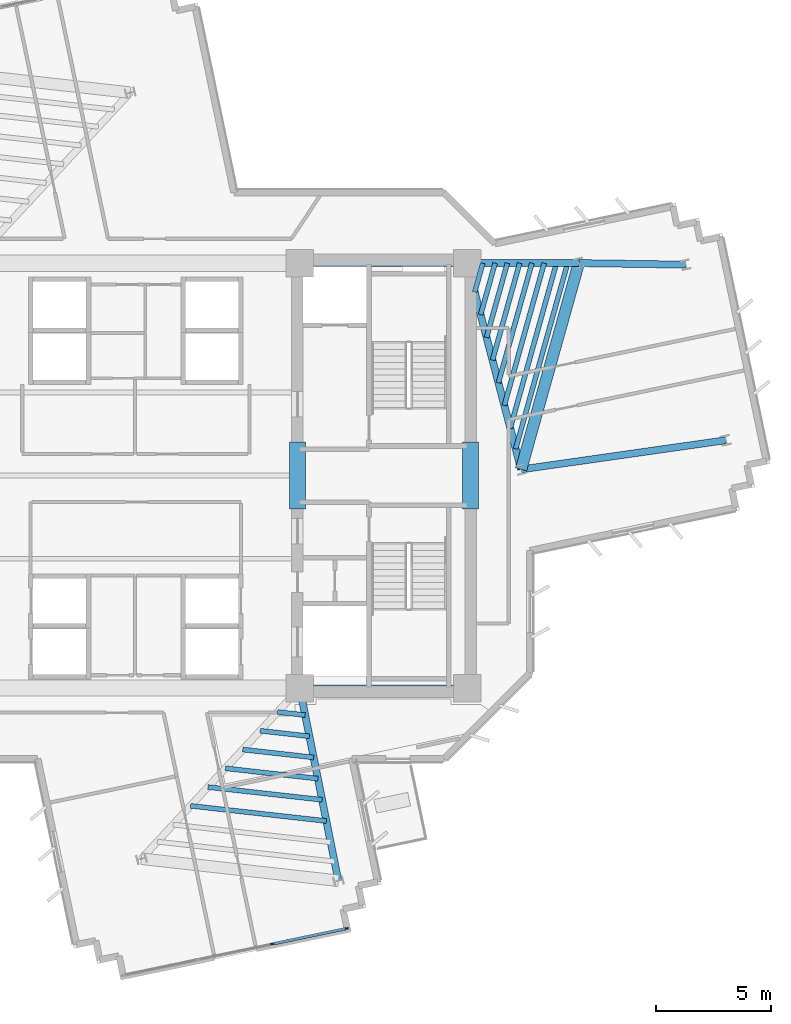
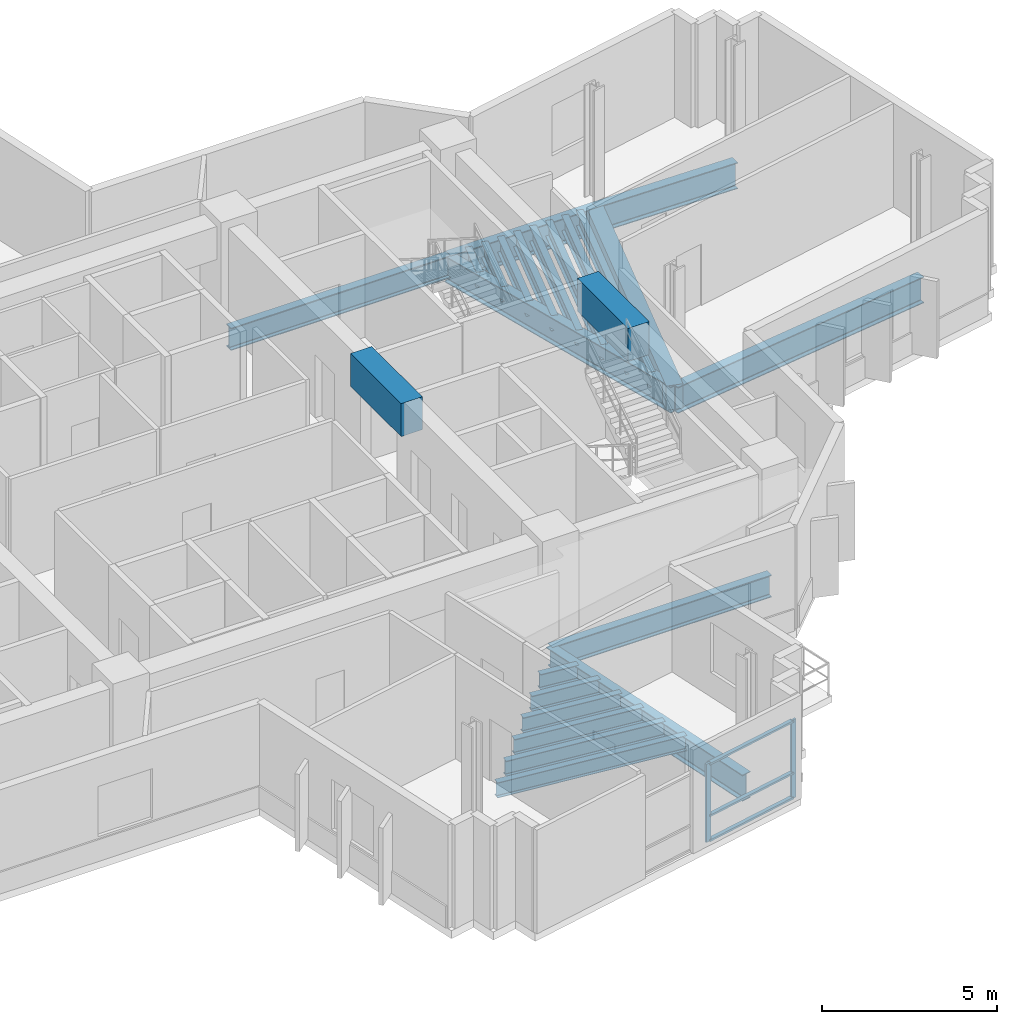
# One storey, part 4 of 14: 24 beams, 5 members, 1 element without a shape of its own.
"""IFC4 building model written with IfcOpenShell, lengths in metres."""

from ifc_helpers import new_model, si_unit, direction, frame, origin, origin_2d, place, context, subcontext, project, spatial, rectangle, i_section, extrude, source, transform, mapped, material, layer, layer_set, material_profile, profile_set, type_object, element, aggregate, save


model = new_model("IFC4")

# Units and contexts
model_context = context("Model", 3, precision=1e-05, world=origin(), true_north=direction((0.0, 1.0)))
body_context = subcontext(model_context, "Body", "Model", "MODEL_VIEW")
ifc_project = project(units=[si_unit("LENGTHUNIT", "METRE"), si_unit("AREAUNIT", "SQUARE_METRE"), si_unit("VOLUMEUNIT", "CUBIC_METRE"), si_unit("PLANEANGLEUNIT", "RADIAN"), si_unit("MASSUNIT", "GRAM", prefix="KILO")], contexts=[model_context])

# Site, building, storey
site_placement = place(None, origin())
site = spatial("IfcSite", under=ifc_project, at=site_placement, CompositionType="ELEMENT")
building_placement = place(site_placement, origin())
building = spatial("IfcBuilding", under=site, at=building_placement, Name="Zahravan Cultural Tower", CompositionType="ELEMENT")
storey_placement = place(building_placement, frame((0.0, 0.0, 159.0)))
storey = spatial("IfcBuildingStorey", under=building, at=storey_placement, Name="L36", CompositionType="ELEMENT", Elevation=159.0)

# Beams
ifc_material_1 = material(Name="Concrete C50/60", Category="concrete")
ifc_material_profile_1 = material_profile(ifc_material_1, rectangle(XDim=0.699951171875, YDim=1.14990234375, at=origin_2d()), Name="RC700X1150")
ifc_profile_set_1 = profile_set([ifc_material_profile_1], Name="Concrete C50/60")
beam_type_1 = type_object("IfcBeamType", Name="BM-LN-RC700X1150", PredefinedType="LINTEL", material=ifc_profile_set_1)
shared_shape_1 = source(origin(), body_context, "Body", "SweptSolid", [
    extrude(rectangle(XDim=0.699951171875, YDim=1.14990234375, at=origin_2d()), origin(), (0.0, 0.0, 1.0), 2.89990234375),
])
for number, where, z_axis, x_axis, name in (
    (1, (43.0, 25.550048828125, 3.044921875), (0.0, 1.0, 0.0), (-1.0, 0.0, 0.0), "L36 Beam LN-L36-PEW"),
    (2, (50.5, 25.550048828125, 3.044921875), (0.0, 1.0, 0.0), (-1.0, 0.0, 0.0), "L36 Beam LN-L36-PEE"),
):
    element("IfcBeam", number, at=place(storey_placement, frame(where, z_axis=z_axis, x_axis=x_axis)), inside=storey, type_object=beam_type_1, Name=name, PredefinedType="LINTEL", context=body_context, shape_type="MappedRepresentation", body=[
        mapped(shared_shape_1, transform((0.0, 0.0, 0.0), x_axis=(1.0, 0.0, 0.0), y_axis=(0.0, 1.0, 0.0), z_axis=(0.0, 0.0, 1.0), scale=1.0)),
    ])
ifc_material_2 = material(Name="Steel ASTM A992 Grade 50", Category="steel")
ifc_material_profile_2 = material_profile(ifc_material_2, i_section(OverallWidth=0.26611328125, OverallDepth=0.780029296875, WebThickness=0.0166015625, FlangeThickness=0.030029296875, FilletRadius=0.01904296875, at=origin_2d()), Name="W30X148")
ifc_profile_set_2 = profile_set([ifc_material_profile_2], Name="Steel ASTM A992 Grade 50")
beam_type_2 = type_object("IfcBeamType", Name="BM-G-W30X148", PredefinedType="BEAM", material=ifc_profile_set_2)
shared_shape_2 = source(origin(), body_context, "Body", "SweptSolid", [
    extrude(i_section(OverallWidth=0.26611328125, OverallDepth=0.780029296875, WebThickness=0.0166015625, FlangeThickness=0.030029296875, FilletRadius=0.01904296875, at=origin_2d()), origin(), (0.0, 0.0, 1.0), 7.25),
])
for number, where, z_axis, x_axis, name in (
    (3, (43.10009765625, 17.800048828125, -0.669921875), (1.0, 0.0, 0.0), (0.0, 1.0, 0.0), "L36 Beam BG-L36-04"),
    (4, (43.10009765625, 36.199951171875, -0.669921875), (1.0, 0.0, 0.0), (0.0, 1.0, 0.0), "L36 Beam BG-L36-05"),
):
    element("IfcBeam", number, at=place(storey_placement, frame(where, z_axis=z_axis, x_axis=x_axis)), inside=storey, type_object=beam_type_2, Name=name, PredefinedType="BEAM", context=body_context, shape_type="MappedRepresentation", body=[
        mapped(shared_shape_2, transform((0.0, 0.0, 0.0), x_axis=(1.0, 0.0, 0.0), y_axis=(0.0, 1.0, 0.0), z_axis=(0.0, 0.0, 1.0), scale=1.0)),
    ])
ifc_material_profile_3 = material_profile(ifc_material_2, i_section(OverallWidth=0.304931640625, OverallDepth=0.9189453125, WebThickness=0.017333984375, FlangeThickness=0.02783203125, FilletRadius=0.02392578125, at=origin_2d()), Name="W36X170")
ifc_profile_set_3 = profile_set([ifc_material_profile_3], Name="Steel ASTM A992 Grade 50")
beam_type_3 = type_object("IfcBeamType", Name="BM-G-W36X170", PredefinedType="BEAM", material=ifc_profile_set_3)
shared_shape_3 = source(origin(), body_context, "Body", "SweptSolid", [
    extrude(i_section(OverallWidth=0.304931640625, OverallDepth=0.9189453125, WebThickness=0.017333984375, FlangeThickness=0.02783203125, FilletRadius=0.02392578125, at=origin_2d()), origin(), (0.0, 0.0, 1.0), 9.22900390625),
])
beam_1_placement = place(storey_placement, frame((50.35009765625, 36.199951171875, -0.739501953125), z_axis=(0.252922608408, -0.967486513682, 0.0), x_axis=(0.967486513682, 0.252922608408, 0.0)))
element("IfcBeam", 5, at=beam_1_placement, inside=storey, type_object=beam_type_3, Name="L36 Beam BG-L36-11", PredefinedType="BEAM", context=body_context, shape_type="MappedRepresentation", body=[
    mapped(shared_shape_3, transform((0.0, 0.0, 0.0), x_axis=(1.0, 0.0, 0.0), y_axis=(0.0, 1.0, 0.0), z_axis=(0.0, 0.0, 1.0), scale=1.0)),
])
shared_shape_4 = source(origin(), body_context, "Body", "SweptSolid", [
    extrude(i_section(OverallWidth=0.304931640625, OverallDepth=0.9189453125, WebThickness=0.017333984375, FlangeThickness=0.02783203125, FilletRadius=0.02392578125, at=origin_2d()), origin(), (0.0, 0.0, 1.0), 4.834716796875),
])
beam_2_placement = place(storey_placement, frame((50.35009765625, 36.199951171875, -0.739501953125), z_axis=(0.99999920313, 0.001262433979, 0.0), x_axis=(-0.001262433979, 0.99999920313, 0.0)))
element("IfcBeam", 6, at=beam_2_placement, inside=storey, type_object=beam_type_3, Name="L36 Beam BG-L36-12", PredefinedType="BEAM", context=body_context, shape_type="MappedRepresentation", body=[
    mapped(shared_shape_4, transform((0.0, 0.0, 0.0), x_axis=(1.0, 0.0, 0.0), y_axis=(0.0, 1.0, 0.0), z_axis=(0.0, 0.0, 1.0), scale=1.0)),
])
shared_shape_5 = source(origin(), body_context, "Body", "SweptSolid", [
    extrude(i_section(OverallWidth=0.304931640625, OverallDepth=0.9189453125, WebThickness=0.017333984375, FlangeThickness=0.02783203125, FilletRadius=0.02392578125, at=origin_2d()), origin(), (0.0, 0.0, 1.0), 8.50732421875),
])
beam_3_placement = place(storey_placement, frame((43.10009765625, 17.800048828125, -0.739501953125), z_axis=(0.196524514012, -0.980498911469, 0.0), x_axis=(0.980498911469, 0.196524514012, 0.0)))
element("IfcBeam", 7, at=beam_3_placement, inside=storey, type_object=beam_type_3, Name="L36 Beam BG-L36-10", PredefinedType="BEAM", context=body_context, shape_type="MappedRepresentation", body=[
    mapped(shared_shape_5, transform((0.0, 0.0, 0.0), x_axis=(1.0, 0.0, 0.0), y_axis=(0.0, 1.0, 0.0), z_axis=(0.0, 0.0, 1.0), scale=1.0)),
])
shared_shape_6 = source(origin(), body_context, "Body", "SweptSolid", [
    extrude(i_section(OverallWidth=0.304931640625, OverallDepth=0.9189453125, WebThickness=0.017333984375, FlangeThickness=0.02783203125, FilletRadius=0.02392578125, at=origin_2d()), origin(), (0.0, 0.0, 1.0), 8.9580078125),
])
beam_4_placement = place(storey_placement, frame((52.684326171875, 27.27099609375, -0.739501953125), z_axis=(0.990000122431, 0.141066500584, 0.0), x_axis=(-0.141066500584, 0.990000122431, 0.0)))
element("IfcBeam", 8, at=beam_4_placement, inside=storey, type_object=beam_type_3, Name="L36 Beam BG-L36-15", PredefinedType="BEAM", context=body_context, shape_type="MappedRepresentation", body=[
    mapped(shared_shape_6, transform((0.0, 0.0, 0.0), x_axis=(1.0, 0.0, 0.0), y_axis=(0.0, 1.0, 0.0), z_axis=(0.0, 0.0, 1.0), scale=1.0)),
])
shared_shape_7 = source(origin(), body_context, "Body", "SweptSolid", [
    extrude(i_section(OverallWidth=0.304931640625, OverallDepth=0.9189453125, WebThickness=0.017333984375, FlangeThickness=0.02783203125, FilletRadius=0.02392578125, at=origin_2d()), origin(), (0.0, 0.0, 1.0), 4.622314453125),
])
beam_5_placement = place(storey_placement, frame((55.184814453125, 36.2060546875, -0.739501953125), z_axis=(0.999889070044, -0.014894549562, 0.0), x_axis=(0.014894549562, 0.999889070044, 0.0)))
element("IfcBeam", 9, at=beam_5_placement, inside=storey, type_object=beam_type_3, Name="L36 Beam BG-L36-16", PredefinedType="BEAM", context=body_context, shape_type="MappedRepresentation", body=[
    mapped(shared_shape_7, transform((0.0, 0.0, 0.0), x_axis=(1.0, 0.0, 0.0), y_axis=(0.0, 1.0, 0.0), z_axis=(0.0, 0.0, 1.0), scale=1.0)),
])
ifc_material_profile_4 = material_profile(ifc_material_1, rectangle(XDim=0.5, YDim=0.85009765625, at=origin_2d()), Name="RC500X850")
ifc_profile_set_4 = profile_set([ifc_material_profile_4], Name="Concrete C50/60")
beam_type_4 = type_object("IfcBeamType", Name="BM-SP-RC500X850", PredefinedType="SPANDREL", material=ifc_profile_set_4)
shared_shape_8 = source(origin(), body_context, "Body", "SweptSolid", [
    extrude(rectangle(XDim=0.5, YDim=0.85009765625, at=origin_2d()), origin(), (0.0, 0.0, 1.0), 9.2783203125),
])
beam_6_placement = place(storey_placement, frame((52.684326171875, 27.27099609375, -0.705078125), z_axis=(0.269497187032, 0.963001176625, 0.0), x_axis=(-0.963001176625, 0.269497187032, 0.0)))
element("IfcBeam", 10, at=beam_6_placement, inside=storey, type_object=beam_type_4, Name="L36 Beam SP-L36-21", PredefinedType="SPANDREL", context=body_context, shape_type="MappedRepresentation", body=[
    mapped(shared_shape_8, transform((0.0, 0.0, 0.0), x_axis=(1.0, 0.0, 0.0), y_axis=(0.0, 1.0, 0.0), z_axis=(0.0, 0.0, 1.0), scale=1.0)),
])
ifc_material_profile_5 = material_profile(ifc_material_2, i_section(OverallWidth=0.2099609375, OverallDepth=0.532958984375, WebThickness=0.01025390625, FlangeThickness=0.015625, FilletRadius=0.013916015625, at=origin_2d()), Name="W21X62")
ifc_profile_set_5 = profile_set([ifc_material_profile_5], Name="Steel ASTM A992 Grade 50")
beam_type_5 = type_object("IfcBeamType", Name="BM-J-W21X62", PredefinedType="JOIST", material=ifc_profile_set_5)
shared_shape_9 = source(origin(), body_context, "Body", "SweptSolid", [
    extrude(i_section(OverallWidth=0.2099609375, OverallDepth=0.532958984375, WebThickness=0.01025390625, FlangeThickness=0.015625, FilletRadius=0.013916015625, at=origin_2d()), origin(), (0.0, 0.0, 1.0), 1.299072265625),
])
beam_7_placement = place(storey_placement, frame((50.6767578125, 34.949951171875, -0.54638671875), z_axis=(0.269504444708, 0.962999145525, 0.0), x_axis=(-0.962999145525, 0.269504444708, 0.0)))
element("IfcBeam", 11, at=beam_7_placement, inside=storey, type_object=beam_type_5, Name="L36 Beam BJ-L36-42", PredefinedType="JOIST", context=body_context, shape_type="MappedRepresentation", body=[
    mapped(shared_shape_9, transform((0.0, 0.0, 0.0), x_axis=(1.0, 0.0, 0.0), y_axis=(0.0, 1.0, 0.0), z_axis=(0.0, 0.0, 1.0), scale=1.0)),
])
shared_shape_10 = source(origin(), body_context, "Body", "SweptSolid", [
    extrude(i_section(OverallWidth=0.2099609375, OverallDepth=0.532958984375, WebThickness=0.01025390625, FlangeThickness=0.015625, FilletRadius=0.013916015625, at=origin_2d()), origin(), (0.0, 0.0, 1.0), 2.3193359375),
])
beam_8_placement = place(storey_placement, frame((50.93359375, 33.9677734375, -0.54638671875), z_axis=(0.269462038626, 0.963011012263, 0.0), x_axis=(-0.963011012263, 0.269462038626, 0.0)))
element("IfcBeam", 12, at=beam_8_placement, inside=storey, type_object=beam_type_5, Name="L36 Beam BJ-L36-43", PredefinedType="JOIST", context=body_context, shape_type="MappedRepresentation", body=[
    mapped(shared_shape_10, transform((0.0, 0.0, 0.0), x_axis=(1.0, 0.0, 0.0), y_axis=(0.0, 1.0, 0.0), z_axis=(0.0, 0.0, 1.0), scale=1.0)),
])
shared_shape_11 = source(origin(), body_context, "Body", "SweptSolid", [
    extrude(i_section(OverallWidth=0.2099609375, OverallDepth=0.532958984375, WebThickness=0.01025390625, FlangeThickness=0.015625, FilletRadius=0.013916015625, at=origin_2d()), origin(), (0.0, 0.0, 1.0), 3.340087890625),
])
beam_9_placement = place(storey_placement, frame((51.190185546875, 32.985595703125, -0.54638671875), z_axis=(0.269562146951, 0.962982995141, 0.0), x_axis=(-0.962982995141, 0.269562146951, 0.0)))
element("IfcBeam", 13, at=beam_9_placement, inside=storey, type_object=beam_type_5, Name="L36 Beam BJ-L36-44", PredefinedType="JOIST", context=body_context, shape_type="MappedRepresentation", body=[
    mapped(shared_shape_11, transform((0.0, 0.0, 0.0), x_axis=(1.0, 0.0, 0.0), y_axis=(0.0, 1.0, 0.0), z_axis=(0.0, 0.0, 1.0), scale=1.0)),
])
shared_shape_12 = source(origin(), body_context, "Body", "SweptSolid", [
    extrude(i_section(OverallWidth=0.2099609375, OverallDepth=0.532958984375, WebThickness=0.01025390625, FlangeThickness=0.015625, FilletRadius=0.013916015625, at=origin_2d()), origin(), (0.0, 0.0, 1.0), 4.36083984375),
])
beam_10_placement = place(storey_placement, frame((51.447021484375, 32.00341796875, -0.54638671875), z_axis=(0.269511557673, 0.962997154866, 0.0), x_axis=(-0.962997154866, 0.269511557673, 0.0)))
element("IfcBeam", 14, at=beam_10_placement, inside=storey, type_object=beam_type_5, Name="L36 Beam BJ-L36-45", PredefinedType="JOIST", context=body_context, shape_type="MappedRepresentation", body=[
    mapped(shared_shape_12, transform((0.0, 0.0, 0.0), x_axis=(1.0, 0.0, 0.0), y_axis=(0.0, 1.0, 0.0), z_axis=(0.0, 0.0, 1.0), scale=1.0)),
])
shared_shape_13 = source(origin(), body_context, "Body", "SweptSolid", [
    extrude(i_section(OverallWidth=0.2099609375, OverallDepth=0.532958984375, WebThickness=0.01025390625, FlangeThickness=0.015625, FilletRadius=0.013916015625, at=origin_2d()), origin(), (0.0, 0.0, 1.0), 5.3818359375),
])
beam_11_placement = place(storey_placement, frame((51.703857421875, 31.02099609375, -0.54638671875), z_axis=(0.269510454638, 0.962997463569, 0.0), x_axis=(-0.962997463569, 0.269510454638, 0.0)))
element("IfcBeam", 15, at=beam_11_placement, inside=storey, type_object=beam_type_5, Name="L36 Beam BJ-L36-46", PredefinedType="JOIST", context=body_context, shape_type="MappedRepresentation", body=[
    mapped(shared_shape_13, transform((0.0, 0.0, 0.0), x_axis=(1.0, 0.0, 0.0), y_axis=(0.0, 1.0, 0.0), z_axis=(0.0, 0.0, 1.0), scale=1.0)),
])
shared_shape_14 = source(origin(), body_context, "Body", "SweptSolid", [
    extrude(i_section(OverallWidth=0.2099609375, OverallDepth=0.532958984375, WebThickness=0.01025390625, FlangeThickness=0.015625, FilletRadius=0.013916015625, at=origin_2d()), origin(), (0.0, 0.0, 1.0), 6.402099609375),
])
beam_12_placement = place(storey_placement, frame((51.960693359375, 30.038818359375, -0.54638671875), z_axis=(0.269494133533, 0.963002031146, 0.0), x_axis=(-0.963002031146, 0.269494133533, 0.0)))
element("IfcBeam", 16, at=beam_12_placement, inside=storey, type_object=beam_type_5, Name="L36 Beam BJ-L36-47", PredefinedType="JOIST", context=body_context, shape_type="MappedRepresentation", body=[
    mapped(shared_shape_14, transform((0.0, 0.0, 0.0), x_axis=(1.0, 0.0, 0.0), y_axis=(0.0, 1.0, 0.0), z_axis=(0.0, 0.0, 1.0), scale=1.0)),
])
shared_shape_15 = source(origin(), body_context, "Body", "SweptSolid", [
    extrude(i_section(OverallWidth=0.2099609375, OverallDepth=0.532958984375, WebThickness=0.01025390625, FlangeThickness=0.015625, FilletRadius=0.013916015625, at=origin_2d()), origin(), (0.0, 0.0, 1.0), 7.4228515625),
])
beam_13_placement = place(storey_placement, frame((52.21728515625, 29.056640625, -0.54638671875), z_axis=(0.269504266128, 0.962999195503, 0.0), x_axis=(-0.962999195503, 0.269504266128, 0.0)))
element("IfcBeam", 17, at=beam_13_placement, inside=storey, type_object=beam_type_5, Name="L36 Beam BJ-L36-48", PredefinedType="JOIST", context=body_context, shape_type="MappedRepresentation", body=[
    mapped(shared_shape_15, transform((0.0, 0.0, 0.0), x_axis=(1.0, 0.0, 0.0), y_axis=(0.0, 1.0, 0.0), z_axis=(0.0, 0.0, 1.0), scale=1.0)),
])
shared_shape_16 = source(origin(), body_context, "Body", "SweptSolid", [
    extrude(i_section(OverallWidth=0.2099609375, OverallDepth=0.532958984375, WebThickness=0.01025390625, FlangeThickness=0.015625, FilletRadius=0.013916015625, at=origin_2d()), origin(), (0.0, 0.0, 1.0), 8.350830078125),
])
beam_14_placement = place(storey_placement, frame((52.450927734375, 28.163818359375, -0.54638671875), z_axis=(0.269496539555, 0.963001357822, 0.0), x_axis=(-0.963001357822, 0.269496539555, 0.0)))
element("IfcBeam", 18, at=beam_14_placement, inside=storey, type_object=beam_type_5, Name="L36 Beam BJ-L36-49", PredefinedType="JOIST", context=body_context, shape_type="MappedRepresentation", body=[
    mapped(shared_shape_16, transform((0.0, 0.0, 0.0), x_axis=(1.0, 0.0, 0.0), y_axis=(0.0, 1.0, 0.0), z_axis=(0.0, 0.0, 1.0), scale=1.0)),
])
shared_shape_17 = source(origin(), body_context, "Body", "SweptSolid", [
    extrude(i_section(OverallWidth=0.2099609375, OverallDepth=0.532958984375, WebThickness=0.01025390625, FlangeThickness=0.015625, FilletRadius=0.013916015625, at=origin_2d()), origin(), (0.0, 0.0, 1.0), 1.201171875),
])
beam_15_placement = place(storey_placement, frame((42.140380859375, 16.765625, -0.54638671875), z_axis=(0.99379916149, -0.111190047317, 0.0), x_axis=(0.111190047317, 0.99379916149, 0.0)))
element("IfcBeam", 19, at=beam_15_placement, inside=storey, type_object=beam_type_5, Name="L36 Beam BJ-L36-34", PredefinedType="JOIST", context=body_context, shape_type="MappedRepresentation", body=[
    mapped(shared_shape_17, transform((0.0, 0.0, 0.0), x_axis=(1.0, 0.0, 0.0), y_axis=(0.0, 1.0, 0.0), z_axis=(0.0, 0.0, 1.0), scale=1.0)),
])
shared_shape_18 = source(origin(), body_context, "Body", "SweptSolid", [
    extrude(i_section(OverallWidth=0.2099609375, OverallDepth=0.532958984375, WebThickness=0.01025390625, FlangeThickness=0.015625, FilletRadius=0.013916015625, at=origin_2d()), origin(), (0.0, 0.0, 1.0), 2.144775390625),
])
beam_16_placement = place(storey_placement, frame((41.386474609375, 15.953125, -0.54638671875), z_axis=(0.993797370806, -0.111206051, 0.0), x_axis=(0.111206051, 0.993797370806, 0.0)))
element("IfcBeam", 20, at=beam_16_placement, inside=storey, type_object=beam_type_5, Name="L36 Beam BJ-L36-35", PredefinedType="JOIST", context=body_context, shape_type="MappedRepresentation", body=[
    mapped(shared_shape_18, transform((0.0, 0.0, 0.0), x_axis=(1.0, 0.0, 0.0), y_axis=(0.0, 1.0, 0.0), z_axis=(0.0, 0.0, 1.0), scale=1.0)),
])
shared_shape_19 = source(origin(), body_context, "Body", "SweptSolid", [
    extrude(i_section(OverallWidth=0.2099609375, OverallDepth=0.532958984375, WebThickness=0.01025390625, FlangeThickness=0.015625, FilletRadius=0.013916015625, at=origin_2d()), origin(), (0.0, 0.0, 1.0), 3.088623046875),
])
beam_17_placement = place(storey_placement, frame((40.63232421875, 15.140380859375, -0.54638671875), z_axis=(0.993805407368, -0.111134208443, 0.0), x_axis=(0.111134208443, 0.993805407368, 0.0)))
element("IfcBeam", 21, at=beam_17_placement, inside=storey, type_object=beam_type_5, Name="L36 Beam BJ-L36-36", PredefinedType="JOIST", context=body_context, shape_type="MappedRepresentation", body=[
    mapped(shared_shape_19, transform((0.0, 0.0, 0.0), x_axis=(1.0, 0.0, 0.0), y_axis=(0.0, 1.0, 0.0), z_axis=(0.0, 0.0, 1.0), scale=1.0)),
])
shared_shape_20 = source(origin(), body_context, "Body", "SweptSolid", [
    extrude(i_section(OverallWidth=0.2099609375, OverallDepth=0.532958984375, WebThickness=0.01025390625, FlangeThickness=0.015625, FilletRadius=0.013916015625, at=origin_2d()), origin(), (0.0, 0.0, 1.0), 4.0322265625),
])
beam_18_placement = place(storey_placement, frame((39.87841796875, 14.327880859375, -0.54638671875), z_axis=(0.993802245601, -0.11116247855, 0.0), x_axis=(0.11116247855, 0.993802245601, 0.0)))
element("IfcBeam", 22, at=beam_18_placement, inside=storey, type_object=beam_type_5, Name="L36 Beam BJ-L36-37", PredefinedType="JOIST", context=body_context, shape_type="MappedRepresentation", body=[
    mapped(shared_shape_20, transform((0.0, 0.0, 0.0), x_axis=(1.0, 0.0, 0.0), y_axis=(0.0, 1.0, 0.0), z_axis=(0.0, 0.0, 1.0), scale=1.0)),
])
shared_shape_21 = source(origin(), body_context, "Body", "SweptSolid", [
    extrude(i_section(OverallWidth=0.2099609375, OverallDepth=0.532958984375, WebThickness=0.01025390625, FlangeThickness=0.015625, FilletRadius=0.013916015625, at=origin_2d()), origin(), (0.0, 0.0, 1.0), 4.97607421875),
])
beam_19_placement = place(storey_placement, frame((39.124267578125, 13.51513671875, -0.54638671875), z_axis=(0.993806308517, -0.111126149723, 0.0), x_axis=(0.111126149723, 0.993806308517, 0.0)))
element("IfcBeam", 23, at=beam_19_placement, inside=storey, type_object=beam_type_5, Name="L36 Beam BJ-L36-38", PredefinedType="JOIST", context=body_context, shape_type="MappedRepresentation", body=[
    mapped(shared_shape_21, transform((0.0, 0.0, 0.0), x_axis=(1.0, 0.0, 0.0), y_axis=(0.0, 1.0, 0.0), z_axis=(0.0, 0.0, 1.0), scale=1.0)),
])
shared_shape_22 = source(origin(), body_context, "Body", "SweptSolid", [
    extrude(i_section(OverallWidth=0.2099609375, OverallDepth=0.532958984375, WebThickness=0.01025390625, FlangeThickness=0.015625, FilletRadius=0.013916015625, at=origin_2d()), origin(), (0.0, 0.0, 1.0), 5.919921875),
])
beam_20_placement = place(storey_placement, frame((38.370361328125, 12.70263671875, -0.54638671875), z_axis=(0.993804520866, -0.111142135602, 0.0), x_axis=(0.111142135602, 0.993804520866, 0.0)))
element("IfcBeam", 24, at=beam_20_placement, inside=storey, type_object=beam_type_5, Name="L36 Beam BJ-L36-39", PredefinedType="JOIST", context=body_context, shape_type="MappedRepresentation", body=[
    mapped(shared_shape_22, transform((0.0, 0.0, 0.0), x_axis=(1.0, 0.0, 0.0), y_axis=(0.0, 1.0, 0.0), z_axis=(0.0, 0.0, 1.0), scale=1.0)),
])

# Curtain wall, members
ifc_material_3 = material(Name="Anodised bronze-aluminium mullion", Category="aluminium")
ifc_layer = layer(ifc_material_3, 0.1650390625)
ifc_layer_set = layer_set([ifc_layer], Name="Anodised bronze-aluminium mullion")
curtain_wall_type = type_object("IfcCurtainWallType", Name="CW-SYS-4", PredefinedType="USERDEFINED", material=ifc_layer_set)
curtain_wall_placement = place(storey_placement, origin())
curtain_wall = element("IfcCurtainWall", 25, at=curtain_wall_placement, inside=storey, type_object=curtain_wall_type, Name="L36 Recessed Curtain Wall CW-4.1", ObjectType="RECESSED GLAZING", PredefinedType="USERDEFINED")
ifc_material_profile_6 = material_profile(ifc_material_3, rectangle(XDim=0.06494140625, YDim=0.1650390625, at=origin_2d()), Name="AL-M65X165")
ifc_profile_set_6 = profile_set([ifc_material_profile_6], Name="Anodised bronze-aluminium mullion")
member_type_1 = type_object("IfcMemberType", Name="CWM-CW-4", PredefinedType="MULLION", material=ifc_profile_set_6)
shared_shape_23 = source(origin(), body_context, "Body", "SweptSolid", [
    extrude(rectangle(XDim=0.06494140625, YDim=0.1650390625, at=origin_2d()), origin(), (0.0, 0.0, 1.0), 2.739990234375),
])
member_1_placement = place(storey_placement, frame((45.123291015625, 7.3896484375, 0.0), z_axis=(0.0, 0.0, 1.0), x_axis=(0.204162369415, -0.978937039301, 0.0)))
member_1 = element("IfcMember", 26, at=member_1_placement, type_object=member_type_1, Name="CW-4 mullion 1", PredefinedType="MULLION", context=body_context, shape_type="MappedRepresentation", body=[
    mapped(shared_shape_23, transform((0.0, 0.0, 0.0), x_axis=(1.0, 0.0, 0.0), y_axis=(0.0, 1.0, 0.0), z_axis=(0.0, 0.0, 1.0), scale=1.0)),
])
member_2_placement = place(storey_placement, frame((41.91796875, 6.72119140625, 0.0), z_axis=(0.0, 0.0, 1.0), x_axis=(0.204162369415, -0.978937039301, 0.0)))
member_2 = element("IfcMember", 27, at=member_2_placement, type_object=member_type_1, Name="CW-4 mullion 2", PredefinedType="MULLION", context=body_context, shape_type="MappedRepresentation", body=[
    mapped(shared_shape_23, transform((0.0, 0.0, 0.0), x_axis=(1.0, 0.0, 0.0), y_axis=(0.0, 1.0, 0.0), z_axis=(0.0, 0.0, 1.0), scale=1.0)),
])
ifc_material_profile_7 = material_profile(ifc_material_3, rectangle(XDim=0.1298828125, YDim=0.06494140625, at=origin_2d()), Name="AL-T65X130")
ifc_profile_set_7 = profile_set([ifc_material_profile_7], Name="Anodised bronze-aluminium mullion")
member_type_2 = type_object("IfcMemberType", Name="CWT-CW-4", PredefinedType="USERDEFINED", material=ifc_profile_set_7)
shared_shape_24 = source(origin(), body_context, "Body", "SweptSolid", [
    extrude(rectangle(XDim=0.1298828125, YDim=0.06494140625, at=origin_2d()), origin(), (0.0, 0.0, 1.0), 3.209228515625),
])
member_3_placement = place(storey_placement, frame((45.091552734375, 7.3828125, 0.032470703125), z_axis=(-0.978947495526, -0.204112226492, 0.0), x_axis=(0.204112226492, -0.978947495526, 0.0)))
member_3 = element("IfcMember", 28, at=member_3_placement, type_object=member_type_2, Name="CW-4 transom 1.1", ObjectType="TRANSOM", PredefinedType="USERDEFINED", context=body_context, shape_type="MappedRepresentation", body=[
    mapped(shared_shape_24, transform((0.0, 0.0, 0.0), x_axis=(1.0, 0.0, 0.0), y_axis=(0.0, 1.0, 0.0), z_axis=(0.0, 0.0, 1.0), scale=1.0)),
])
member_4_placement = place(storey_placement, frame((45.091552734375, 7.3828125, 0.89990234375), z_axis=(-0.978947495526, -0.204112226492, 0.0), x_axis=(0.204112226492, -0.978947495526, 0.0)))
member_4 = element("IfcMember", 29, at=member_4_placement, type_object=member_type_2, Name="CW-4 transom 1.2", ObjectType="TRANSOM", PredefinedType="USERDEFINED", context=body_context, shape_type="MappedRepresentation", body=[
    mapped(shared_shape_24, transform((0.0, 0.0, 0.0), x_axis=(1.0, 0.0, 0.0), y_axis=(0.0, 1.0, 0.0), z_axis=(0.0, 0.0, 1.0), scale=1.0)),
])
member_5_placement = place(storey_placement, frame((45.091552734375, 7.3828125, 2.70751953125), z_axis=(-0.978947495526, -0.204112226492, 0.0), x_axis=(0.204112226492, -0.978947495526, 0.0)))
member_5 = element("IfcMember", 30, at=member_5_placement, type_object=member_type_2, Name="CW-4 transom 1.3", ObjectType="TRANSOM", PredefinedType="USERDEFINED", context=body_context, shape_type="MappedRepresentation", body=[
    mapped(shared_shape_24, transform((0.0, 0.0, 0.0), x_axis=(1.0, 0.0, 0.0), y_axis=(0.0, 1.0, 0.0), z_axis=(0.0, 0.0, 1.0), scale=1.0)),
])
aggregate(curtain_wall, [member_1, member_2, member_3, member_4, member_5])

save(model, "model.ifc")
